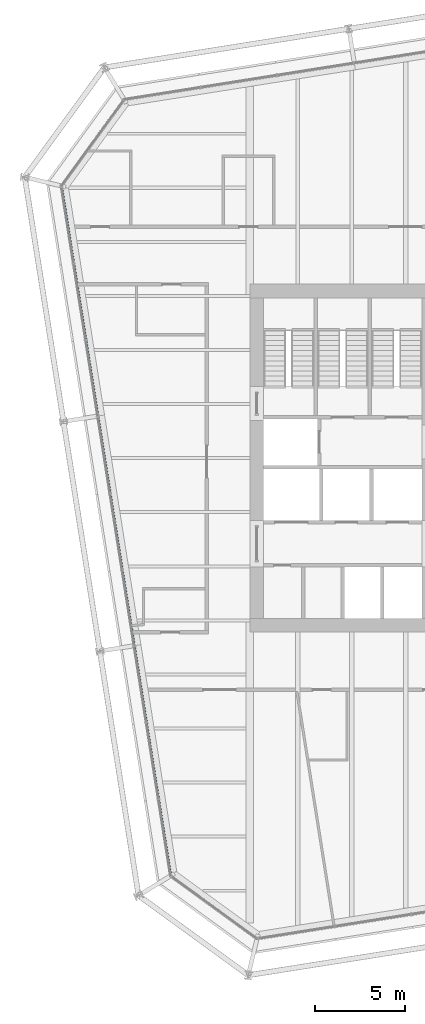
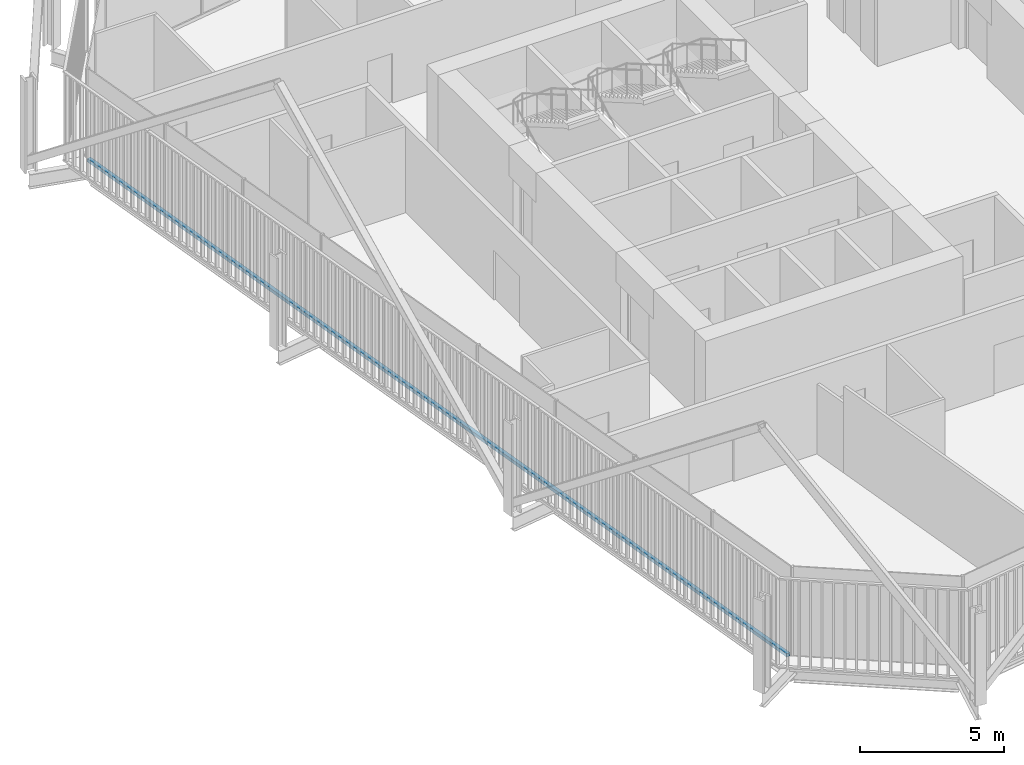
# One storey, part 5 of 22: 1 member, 1 element without a shape of its own.
"""IFC4 building model written with IfcOpenShell, lengths in metres."""

import ifcopenshell
import ifcopenshell.guid

model = None  # the IFC model being written
_history = None  # IfcOwnerHistory: only IFC2X3 demands one
_inside = {}  # id of a spatial element -> (the spatial element, [elements in it])
_under = {}  # id of a project, library or spatial element -> (it, [spatial elements below it])
_declared = {}  # id of a project -> (the project, [libraries it declares])
_typed = {}  # id of a type object -> (the type object, [elements of that type])
_made_of = {}  # id of a material, layer set ... -> (it, [elements and type objects made of it])


def new_model(schema):
    """Start an empty IFC model of exactly this schema.

    Asked for "IFC4X3", IfcOpenShell would pick the latest addendum, in which some entities
    have other attributes; the version numbers below select the first issue.
    IFC2X3 requires an IfcOwnerHistory on every rooted entity: one is made here for all.
    """
    global model, _history
    if schema == "IFC4X3":
        model = ifcopenshell.file(schema_version=(4, 3, 0, 0))
    else:
        model = ifcopenshell.file(schema=schema)
    _inside.clear()
    _under.clear()
    _declared.clear()
    _typed.clear()
    _made_of.clear()
    _history = None
    if model.schema == "IFC2X3":
        org = make("IfcOrganization", Name="unknown")
        user = make(
            "IfcPersonAndOrganization",
            ThePerson=make("IfcPerson", FamilyName="unknown"),
            TheOrganization=org,
        )
        app = make(
            "IfcApplication",
            ApplicationDeveloper=org,
            Version="unknown",
            ApplicationFullName="unknown",
            ApplicationIdentifier="unknown",
        )
        _history = make(
            "IfcOwnerHistory",
            OwningUser=user,
            OwningApplication=app,
            ChangeAction="ADDED",
            CreationDate=0,
        )
    return model


def make(cls, **values):
    """One entity of the class cls with the attributes given. An attribute that is None is left unset."""
    return model.create_entity(
        cls, **{name: value for name, value in values.items() if value is not None}
    )


def rooted(cls, **values):
    """An entity with a GlobalId (a new one), such as an element, a storey or a relation."""
    return make(cls, GlobalId=ifcopenshell.guid.new(), OwnerHistory=_history, **values)


def si_unit(unit_type, name, prefix=None):
    """IfcSIUnit, for example si_unit("LENGTHUNIT", "METRE", prefix="MILLI")."""
    return make("IfcSIUnit", UnitType=unit_type, Prefix=prefix, Name=name)


def assignment(units):
    """IfcUnitAssignment: the units of a project."""
    return None if units is None else make("IfcUnitAssignment", Units=units)


def point(xyz):
    """IfcCartesianPoint."""
    return None if xyz is None else make("IfcCartesianPoint", Coordinates=xyz)


def direction(xyz):
    """IfcDirection."""
    return None if xyz is None else make("IfcDirection", DirectionRatios=xyz)


def frame(location, z_axis=None, x_axis=None):
    """IfcAxis2Placement3D, a coordinate frame: its origin and axes. An axis left out is left unset."""
    return make(
        "IfcAxis2Placement3D",
        Location=point(location),
        Axis=direction(z_axis),
        RefDirection=direction(x_axis),
    )


def frame_2d(location, x_axis=None):
    """IfcAxis2Placement2D, a coordinate frame in the plane: its origin and x axis."""
    return make(
        "IfcAxis2Placement2D", Location=point(location), RefDirection=direction(x_axis)
    )


def origin():
    """The frame at (0, 0, 0) with its axes left unset."""
    return frame((0.0, 0.0, 0.0))


def origin_2d():
    """The frame at (0, 0) in the plane with its x axis left unset."""
    return frame_2d((0.0, 0.0))


def place(relative_to, where):
    """IfcLocalPlacement: puts the frame where relative to a parent placement (None: the world)."""
    return make(
        "IfcLocalPlacement", PlacementRelTo=relative_to, RelativePlacement=where
    )


def context(
    kind, dimensions, precision=None, world=None, true_north=None, identifier=None
):
    """IfcGeometricRepresentationContext, for example the 3D "Model" context."""
    return make(
        "IfcGeometricRepresentationContext",
        ContextIdentifier=identifier,
        ContextType=kind,
        CoordinateSpaceDimension=dimensions,
        Precision=precision,
        WorldCoordinateSystem=world,
        TrueNorth=true_north,
    )


def subcontext(parent, identifier, kind, view, scale=None):
    """IfcGeometricRepresentationSubContext, for example "Body" below "Model"."""
    return make(
        "IfcGeometricRepresentationSubContext",
        ContextIdentifier=identifier,
        ContextType=kind,
        ParentContext=parent,
        TargetScale=scale,
        TargetView=view,
    )


def project(units=None, contexts=None):
    """IfcProject with its units and contexts."""
    return rooted(
        "IfcProject",
        Name="project",
        RepresentationContexts=contexts,
        UnitsInContext=assignment(units),
    )


def spatial(cls, under=None, at=None, **own):
    """A site, building, storey or space (cls), placed at a placement, below another one or the project."""
    s = rooted(cls, ObjectPlacement=at, **own)
    if under is not None:
        _under.setdefault(under.id(), (under, []))[1].append(s)
    return s


def profile(cls, at=None, kind="AREA", **sizes):
    """A parametric profile (cls). Its sizes go by their IFC names, for example OverallWidth=200.0."""
    return make(cls, ProfileType=kind, Position=at, **sizes)


def rectangle(**sizes):
    """IfcRectangleProfileDef."""
    return profile("IfcRectangleProfileDef", **sizes)


def extrude(swept, where, along, depth):
    """IfcExtrudedAreaSolid: the profile swept, set in the frame where, extruded along a direction by depth."""
    return make(
        "IfcExtrudedAreaSolid",
        SweptArea=swept,
        Position=where,
        ExtrudedDirection=direction(along),
        Depth=depth,
    )


def shape(context_of_items, identifier, shape_type, items):
    """IfcShapeRepresentation: the items that make up one representation, for example the "Body"."""
    return make(
        "IfcShapeRepresentation",
        ContextOfItems=context_of_items,
        RepresentationIdentifier=identifier,
        RepresentationType=shape_type,
        Items=items,
    )


def material(Name=None, Category=None):
    """IfcMaterial."""
    return make("IfcMaterial", Name=Name, Category=Category)


def layer(
    of_material, thickness, ventilated=None, Name=None, Category=None, Priority=None
):
    """IfcMaterialLayer: one layer of a wall or slab, of a material (None: an air gap)."""
    return make(
        "IfcMaterialLayer",
        Material=of_material,
        LayerThickness=thickness,
        IsVentilated=ventilated,
        Name=Name,
        Category=Category,
        Priority=Priority,
    )


def layer_set(layers, Name=None):
    """IfcMaterialLayerSet."""
    return make("IfcMaterialLayerSet", MaterialLayers=layers, LayerSetName=Name)


def material_profile(
    of_material, cross_section, Name=None, Category=None, Priority=None
):
    """IfcMaterialProfile: a cross section and its material."""
    return make(
        "IfcMaterialProfile",
        Name=Name,
        Material=of_material,
        Profile=cross_section,
        Priority=Priority,
        Category=Category,
    )


def profile_set(profiles, Name=None, composite=None):
    """IfcMaterialProfileSet."""
    return make(
        "IfcMaterialProfileSet",
        Name=Name,
        MaterialProfiles=profiles,
        CompositeProfile=composite,
    )


def made_of(thing, what):
    """Note that an element or type object is made of a material, layer set ...; save() writes the relation."""
    if what is not None:
        _made_of.setdefault(what.id(), (what, []))[1].append(thing)
    return thing


def type_object(cls, material=None, **own):
    """A type object (cls), such as IfcWallType, which elements share."""
    return made_of(rooted(cls, **own), material)


def element(
    cls,
    number,
    at=None,
    inside=None,
    cuts=None,
    type_object=None,
    material=None,
    context=None,
    identifier="Body",
    shape_type=None,
    held_by="IfcProductDefinitionShape",
    body=None,
    shapes=None,
    **own,
):
    """One element of the class cls, such as IfcWall. Its Tag is "e" and its number.

    at: its placement. inside: the storey or other place that contains it. cuts: it is an
    opening in that element (IfcRelVoidsElement). A single representation is given by context,
    identifier, shape_type and body (its items); several are given by shapes. held_by: the class
    of the entity that holds the representations. save() writes the other relations.
    """
    e = rooted(cls, Tag="e%d" % number, ObjectPlacement=at, **own)
    if body is not None:
        shapes = [shape(context, identifier, shape_type, body)]
    if shapes is not None:
        e.Representation = make(held_by, Representations=shapes)
    if inside is not None:
        _inside.setdefault(inside.id(), (inside, []))[1].append(e)
    if cuts is not None:
        rooted(
            "IfcRelVoidsElement", RelatingBuildingElement=cuts, RelatedOpeningElement=e
        )
    if type_object is not None:
        _typed.setdefault(type_object.id(), (type_object, []))[1].append(e)
    return made_of(e, material)


def aggregate(whole, parts):
    """IfcRelAggregates: a whole, such as a stair, and the parts it consists of."""
    return rooted("IfcRelAggregates", RelatingObject=whole, RelatedObjects=parts)


def save(model, path):
    """Write the relations noted so far, then the file.

    IfcRelAggregates (storeys below a building ...), IfcRelContainedInSpatialStructure (elements
    in a storey), IfcRelDefinesByType, IfcRelAssociatesMaterial and IfcRelDeclares: one each for
    every whole, place, type object, material and project.
    """
    for whole, parts in _under.values():
        aggregate(whole, parts)
    for where, things in _inside.values():
        rooted(
            "IfcRelContainedInSpatialStructure",
            RelatedElements=things,
            RelatingStructure=where,
        )
    for kind, things in _typed.values():
        rooted("IfcRelDefinesByType", RelatedObjects=things, RelatingType=kind)
    for what, things in _made_of.values():
        rooted("IfcRelAssociatesMaterial", RelatedObjects=things, RelatingMaterial=what)
    for by, libraries in _declared.values():
        rooted("IfcRelDeclares", RelatingContext=by, RelatedDefinitions=libraries)
    model.write(path)


model = new_model("IFC4")

# Units and contexts
model_context = context("Model", 3, precision=1e-05, world=origin(), true_north=direction((0.0, 1.0)))
body_context = subcontext(model_context, "Body", "Model", "MODEL_VIEW")
ifc_project = project(units=[si_unit("LENGTHUNIT", "METRE"), si_unit("AREAUNIT", "SQUARE_METRE"), si_unit("VOLUMEUNIT", "CUBIC_METRE"), si_unit("PLANEANGLEUNIT", "RADIAN"), si_unit("MASSUNIT", "GRAM", prefix="KILO")], contexts=[model_context])

# Site, building, storey
site_placement = place(None, origin())
site = spatial("IfcSite", under=ifc_project, at=site_placement, CompositionType="ELEMENT")
building_placement = place(site_placement, origin())
building = spatial("IfcBuilding", under=site, at=building_placement, Name="Millrace Tower", CompositionType="ELEMENT")
storey_placement = place(building_placement, frame((0.0, 0.0, 168.5)))
storey = spatial("IfcBuildingStorey", under=building, at=storey_placement, Name="L38", CompositionType="ELEMENT", Elevation=168.5)

# Curtain wall, member
ifc_material_1 = material(Name="Aluminium and glass", Category="aluminium")
ifc_layer = layer(ifc_material_1, 0.14990234375)
ifc_layer_set = layer_set([ifc_layer], Name="Aluminium and glass")
curtain_wall_type = type_object("IfcCurtainWallType", Name="CW-1 office vision curtain wall", PredefinedType="NOTDEFINED", material=ifc_layer_set)
curtain_wall_placement = place(storey_placement, origin())
curtain_wall = element("IfcCurtainWall", 1, at=curtain_wall_placement, inside=storey, type_object=curtain_wall_type, Name="Curtain wall C-F08 L38", PredefinedType="NOTDEFINED")
ifc_material_2 = material(Name="Aluminium", Category="aluminium")
ifc_material_profile = material_profile(ifc_material_2, rectangle(XDim=0.14990234375, YDim=0.139892578125, at=origin_2d()))
ifc_profile_set = profile_set([ifc_material_profile], Name="Aluminium")
member_type = type_object("IfcMemberType", Name="CW-1 office vision curtain wall transom", PredefinedType="USERDEFINED", material=ifc_profile_set)
member_placement = place(storey_placement, frame((-25.09619140625, 14.97509765625, 0.070068359375), z_axis=(0.156433422663, -0.987688505691, 0.0), x_axis=(0.987688505691, 0.156433422663, 0.0)))
member = element("IfcMember", 2, at=member_placement, type_object=member_type, Name="CW1 transom C-F08.1", ObjectType="TRANSOM", PredefinedType="USERDEFINED", context=body_context, shape_type="SweptSolid", body=[
    extrude(rectangle(XDim=0.14990234375, YDim=0.139892578125, at=origin_2d()), origin(), (0.0, 0.0, 1.0), 38.5),
])
aggregate(curtain_wall, [member])

save(model, "model.ifc")
